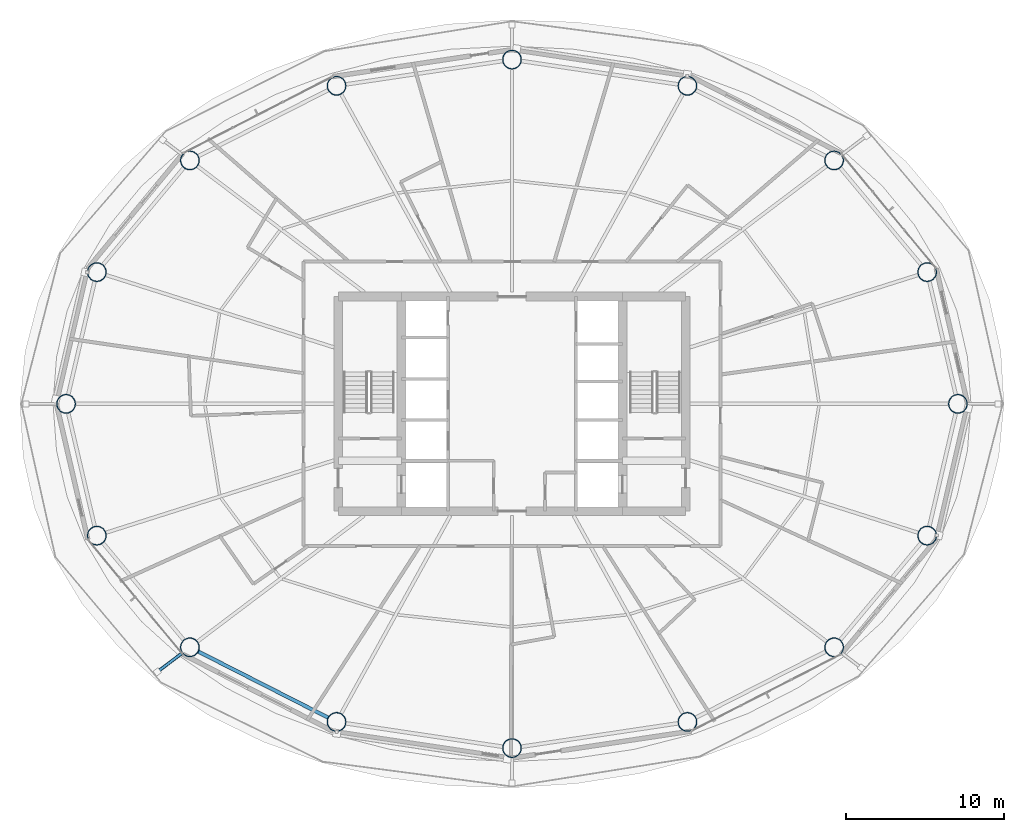
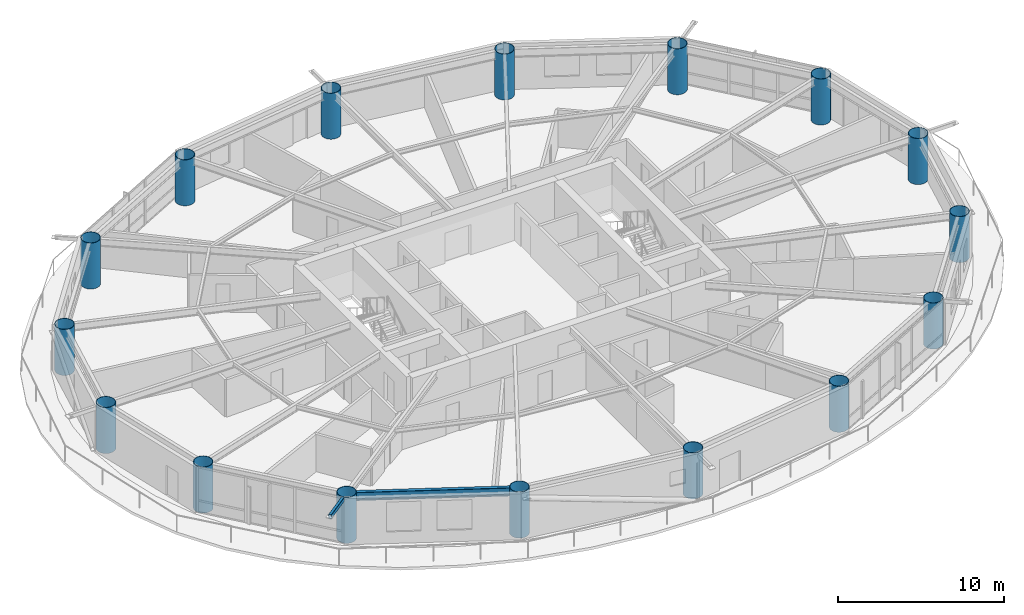
# One storey, part 1 of 24: 16 columns, 1 beam, 1 member.
"""IFC4 building model written with IfcOpenShell, lengths in metres."""

from ifc_helpers import new_model, si_unit, direction, frame, origin, origin_2d, place, context, subcontext, project, spatial, hollow_rectangle, hollow_circle, i_section, extrude, material, material_profile, profile_set, type_object, element, save


model = new_model("IFC4")

# Units and contexts
model_context = context("Model", 3, precision=1e-05, world=origin(), true_north=direction((0.0, 1.0)))
body_context = subcontext(model_context, "Body", "Model", "MODEL_VIEW")
ifc_project = project(units=[si_unit("LENGTHUNIT", "METRE"), si_unit("AREAUNIT", "SQUARE_METRE"), si_unit("VOLUMEUNIT", "CUBIC_METRE"), si_unit("PLANEANGLEUNIT", "RADIAN"), si_unit("MASSUNIT", "GRAM", prefix="KILO")], contexts=[model_context])

# Site, building, storey
site_placement = place(None, origin())
site = spatial("IfcSite", under=ifc_project, at=site_placement, CompositionType="ELEMENT")
building_placement = place(site_placement, origin())
building = spatial("IfcBuilding", under=site, at=building_placement, Name="Sarneth Arch Tower", CompositionType="ELEMENT")
storey_placement = place(building_placement, frame((0.0, 0.0, 116.39990234375)))
storey = spatial("IfcBuildingStorey", under=building, at=storey_placement, Name="L29", CompositionType="ELEMENT", Elevation=116.39990234375)

# Columns
ifc_material_1 = material(Name="Steel S355", Category="steel")
ifc_material_profile_1 = material_profile(ifc_material_1, hollow_circle(Radius=0.60009765625, WallThickness=0.031982421875, at=origin_2d()), Name="CHS1200x32")
ifc_profile_set_1 = profile_set([ifc_material_profile_1], Name="Steel S355")
column_type = type_object("IfcColumnType", Name="COL-MEGA-1200", PredefinedType="COLUMN", material=ifc_profile_set_1)
for number, where, z_axis, x_axis, name in (
    (1, (76.236572265625, 42.0, 0.0), (0.0, 0.0, 1.0), (1.0, 0.0, 0.0), "L29 Perimeter mega-column M01"),
    (2, (74.291259765625, 50.342529296875, 0.0), (0.0, 0.0, 1.0), (1.0, 0.0, 0.0), "L29 Perimeter mega-column M02"),
    (3, (68.397705078125, 57.4150390625, 0.0), (0.0, 0.0, 1.0), (1.0, 0.0, 0.0), "L29 Perimeter mega-column M03"),
    (4, (59.1103515625, 62.140625, 0.0), (0.0, 0.0, 1.0), (1.0, 0.0, 0.0), "L29 Perimeter mega-column M04"),
    (5, (48.0, 63.800048828125, 0.0), (0.0, 0.0, 1.0), (1.0, 0.0, 0.0), "L29 Perimeter mega-column M05"),
    (6, (36.8896484375, 62.140625, 0.0), (0.0, 0.0, 1.0), (1.0, 0.0, 0.0), "L29 Perimeter mega-column M06"),
    (7, (27.602294921875, 57.4150390625, 0.0), (0.0, 0.0, 1.0), (1.0, 0.0, 0.0), "L29 Perimeter mega-column M07"),
    (8, (21.708740234375, 50.342529296875, 0.0), (0.0, 0.0, 1.0), (1.0, 0.0, 0.0), "L29 Perimeter mega-column M08"),
    (9, (19.763427734375, 42.0, 0.0), (0.0, 0.0, 1.0), (1.0, 0.0, 0.0), "L29 Perimeter mega-column M09"),
    (10, (21.708740234375, 33.657470703125, 0.0), (0.0, 0.0, 1.0), (1.0, 0.0, 0.0), "L29 Perimeter mega-column M10"),
    (11, (27.602294921875, 26.5849609375, 0.0), (0.0, 0.0, 1.0), (1.0, 0.0, 0.0), "L29 Perimeter mega-column M11"),
    (12, (36.8896484375, 21.859375, 0.0), (0.0, 0.0, 1.0), (1.0, 0.0, 0.0), "L29 Perimeter mega-column M12"),
    (13, (48.0, 20.199951171875, 0.0), (0.0, 0.0, 1.0), (1.0, 0.0, 0.0), "L29 Perimeter mega-column M13"),
    (14, (59.1103515625, 21.859375, 0.0), (0.0, 0.0, 1.0), (1.0, 0.0, 0.0), "L29 Perimeter mega-column M14"),
    (15, (68.397705078125, 26.5849609375, 0.0), (0.0, 0.0, 1.0), (1.0, 0.0, 0.0), "L29 Perimeter mega-column M15"),
    (16, (74.291259765625, 33.657470703125, 0.0), (0.0, 0.0, 1.0), (1.0, 0.0, 0.0), "L29 Perimeter mega-column M16"),
):
    element("IfcColumn", number, at=place(storey_placement, frame(where, z_axis=z_axis, x_axis=x_axis)), inside=storey, type_object=column_type, Name=name, PredefinedType="COLUMN", context=body_context, shape_type="SweptSolid", body=[
        extrude(hollow_circle(Radius=0.60009765625, WallThickness=0.031982421875, at=origin_2d()), origin(), (0.0, 0.0, 1.0), 3.380126953125),
    ])

# Beam
ifc_material_2 = material(Name="Steel S355", Category="steel")
ifc_material_profile_2 = material_profile(ifc_material_2, i_section(OverallWidth=0.22900390625, OverallDepth=0.612060546875, WebThickness=0.011962890625, FlangeThickness=0.01953125, FilletRadius=0.01904296875, at=origin_2d()), Name="W610x125")
ifc_profile_set_2 = profile_set([ifc_material_profile_2], Name="Steel S355")
beam_type = type_object("IfcBeamType", Name="BM-SPAN-610C", PredefinedType="SPANDREL", material=ifc_profile_set_2)
beam_placement = place(storey_placement, frame((28.13720703125, 26.31298828125, 3.07421875), z_axis=(0.891259443414, -0.453493775619, 0.0), x_axis=(0.453493775619, 0.891259443414, 0.0)))
element("IfcBeam", 17, at=beam_placement, inside=storey, type_object=beam_type, Name="L29 Perimeter spandrel beam 11", PredefinedType="SPANDREL", context=body_context, shape_type="SweptSolid", body=[
    extrude(i_section(OverallWidth=0.22900390625, OverallDepth=0.612060546875, WebThickness=0.011962890625, FlangeThickness=0.01953125, FilletRadius=0.01904296875, at=origin_2d()), origin(), (0.0, 0.0, 1.0), 9.220458984375),
])

# Member
ifc_material_3 = material(Name="Steel S355", Category="steel")
ifc_material_profile_3 = material_profile(ifc_material_3, hollow_rectangle(XDim=0.199951171875, YDim=0.300048828125, WallThickness=0.012451171875, InnerFilletRadius=0.018798828125, OuterFilletRadius=0.03125, at=origin_2d()), Name="RHS300x200x12.5")
ifc_profile_set_3 = profile_set([ifc_material_profile_3], Name="Steel S355")
member_type = type_object("IfcMemberType", Name="MEM-CANT-STRUT", PredefinedType="STRUT", material=ifc_profile_set_3)
member_placement = place(storey_placement, frame((27.123779296875, 26.223388671875, 3.22021484375), z_axis=(-0.797796356814, -0.602927004749, 0.0), x_axis=(0.602927004749, -0.797796356814, 0.0)))
element("IfcMember", 18, at=member_placement, inside=storey, type_object=member_type, Name="L29 Balcony cantilever bracket 11", PredefinedType="STRUT", context=body_context, shape_type="SweptSolid", body=[
    extrude(hollow_rectangle(XDim=0.199951171875, YDim=0.300048828125, WallThickness=0.012451171875, InnerFilletRadius=0.018798828125, OuterFilletRadius=0.03125, at=origin_2d()), origin(), (0.0, 0.0, 1.0), 1.98583984375),
])

save(model, "model.ifc")
